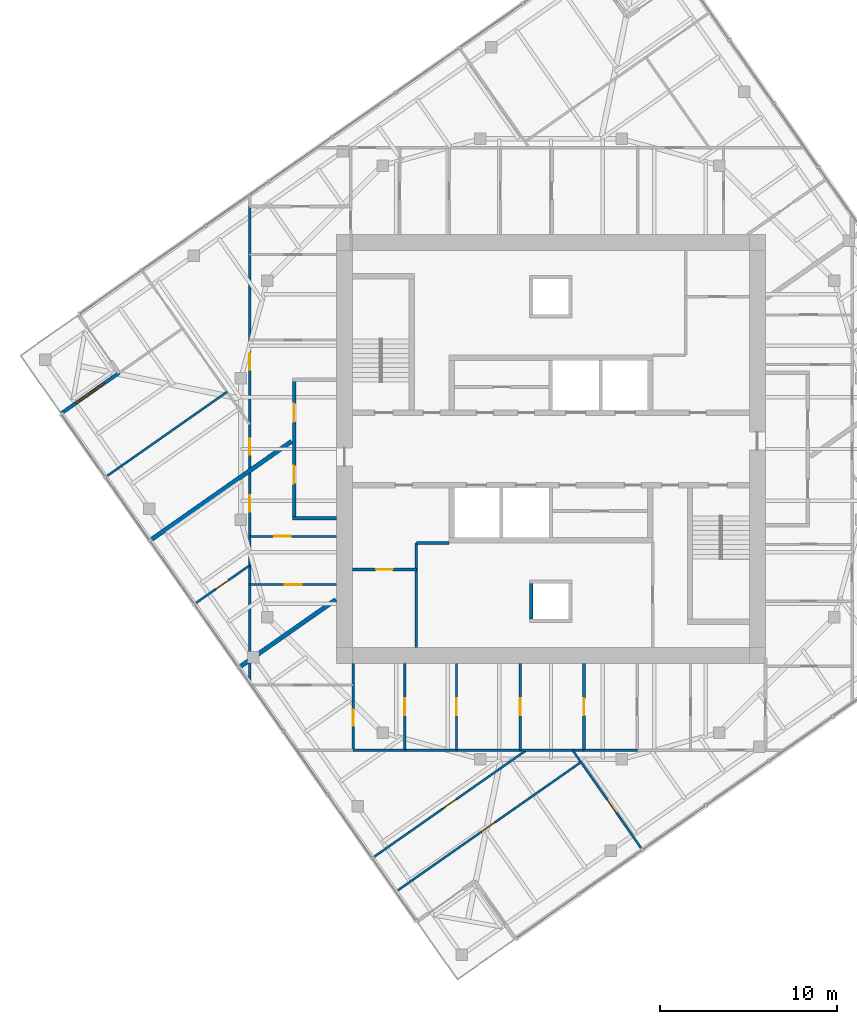
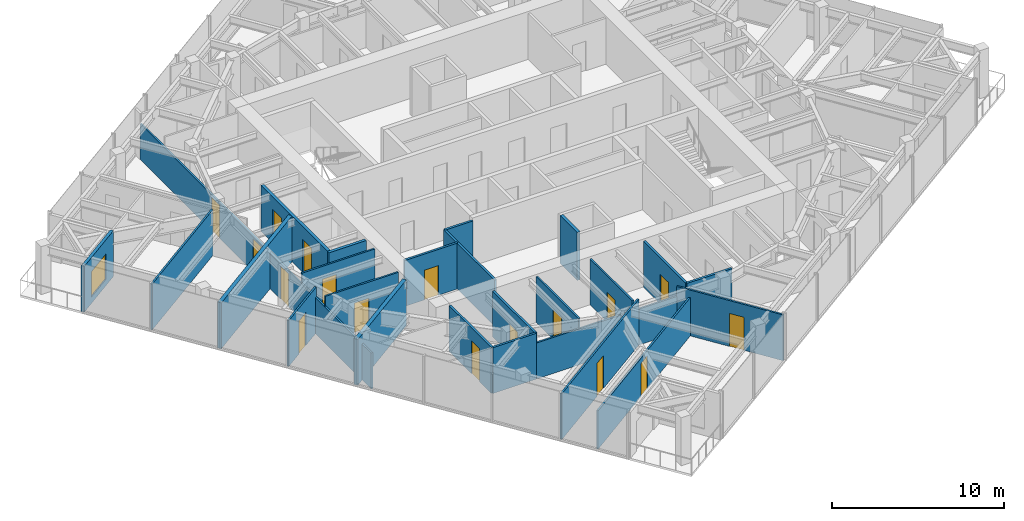
# One storey, part 7 of 12: 25 walls, 17 doors, 1 window, 18 openings.
"""IFC4 building model written with IfcOpenShell, lengths in metres."""

from ifc_helpers import new_model, si_unit, direction, frame, frame_2d, origin, place, context, subcontext, project, spatial, rectangle, extrude, material, layer, layer_set, type_object, element, fill, save


model = new_model("IFC4")

# Units and contexts
model_context = context("Model", 3, precision=1e-05, world=origin(), true_north=direction((0.0, 1.0)))
body_context = subcontext(model_context, "Body", "Model", "MODEL_VIEW")
ifc_project = project(units=[si_unit("LENGTHUNIT", "METRE"), si_unit("AREAUNIT", "SQUARE_METRE"), si_unit("VOLUMEUNIT", "CUBIC_METRE"), si_unit("PLANEANGLEUNIT", "RADIAN"), si_unit("MASSUNIT", "GRAM", prefix="KILO")], contexts=[model_context])

# Site, building, storey
site_placement = place(None, origin())
site = spatial("IfcSite", under=ifc_project, at=site_placement, CompositionType="ELEMENT")
building_placement = place(site_placement, origin())
building = spatial("IfcBuilding", under=site, at=building_placement, Name="Torsade Residences", CompositionType="ELEMENT")
storey_placement = place(building_placement, frame((0.0, 0.0, 247.199951171875)))
storey = spatial("IfcBuildingStorey", under=building, at=storey_placement, Name="L68", CompositionType="ELEMENT", Elevation=247.199951171875)

# Wall, openings, doors
ifc_material_1 = material(Name="Plasterboard on steel stud", Category="steel")
ifc_layer_1 = layer(ifc_material_1, 0.199951171875)
ifc_layer_set_1 = layer_set([ifc_layer_1], Name="Plasterboard on steel stud")
wall_type_1 = type_object("IfcWallType", Name="CORRIDOR WALL 200", PredefinedType="PARTITIONING", material=ifc_layer_set_1)
wall_1_placement = place(storey_placement, frame((25.5, 26.10009765625, 0.0), z_axis=(0.0, 0.0, 1.0), x_axis=(0.0, 1.0, 0.0)))
wall_1 = element("IfcWall", 1, at=wall_1_placement, inside=storey, type_object=wall_type_1, Name="Corridor wall L68", PredefinedType="PARTITIONING", context=body_context, shape_type="SweptSolid", body=[
    extrude(rectangle(XDim=7.7998046875, YDim=0.199951171875, at=frame_2d((3.89990234375, 0.0))), origin(), (0.0, 0.0, 1.0), 3.25),
])
opening_1_placement = place(wall_1_placement, frame((1.94189453125, 0.0, 0.0)))
opening_1 = element("IfcOpeningElement", 2, at=opening_1_placement, cuts=wall_1, Name="Opening D01", PredefinedType="OPENING", context=body_context, shape_type="SweptSolid", body=[
    extrude(rectangle(XDim=1.02001953125, YDim=2.340087890625, at=frame_2d((0.510009765625, 1.169921875))), frame((0.0, 0.10986328125, 0.0), z_axis=(0.0, -1.0, 0.0), x_axis=(1.0, 0.0, 0.0)), (0.0, 0.0, 1.0), 0.219970703125),
])
opening_2_placement = place(wall_1_placement, frame((5.436767578125, 0.0, 0.0)))
opening_2 = element("IfcOpeningElement", 3, at=opening_2_placement, cuts=wall_1, Name="Opening D01", PredefinedType="OPENING", context=body_context, shape_type="SweptSolid", body=[
    extrude(rectangle(XDim=1.02001953125, YDim=2.340087890625, at=frame_2d((0.510009765625, 1.169921875))), frame((0.0, 0.10986328125, 0.0), z_axis=(0.0, -1.0, 0.0), x_axis=(1.0, 0.0, 0.0)), (0.0, 0.0, 1.0), 0.219970703125),
])
ifc_material_2 = material(Name="Solid-core timber fire door", Category="wood")
door_type_1 = type_object("IfcDoorType", Name="APARTMENT ENTRY DOOR 1020x2340", OperationType="NOTDEFINED", PredefinedType="DOOR", material=ifc_material_2)
door_1_placement = place(opening_1_placement, origin())
door_1 = element("IfcDoor", 4, at=door_1_placement, inside=storey, type_object=door_type_1, Name="Door Residential corridor to Kitchen and dining", OperationType="SINGLE_SWING_RIGHT", OverallHeight=2.340087890625, OverallWidth=1.02001953125, PredefinedType="DOOR", context=body_context, shape_type="SweptSolid", body=[
    extrude(rectangle(XDim=1.02001953125, YDim=2.340087890625, at=frame_2d((0.510009765625, 1.169921875))), frame((0.0, 0.02490234375, 0.0), z_axis=(0.0, -1.0, 0.0), x_axis=(1.0, 0.0, 0.0)), (0.0, 0.0, 1.0), 0.050048828125),
])
fill(opening_1, door_1)
door_2_placement = place(opening_2_placement, origin())
door_2 = element("IfcDoor", 5, at=door_2_placement, inside=storey, type_object=door_type_1, Name="Door Residential corridor to Kitchen and dining", OperationType="SINGLE_SWING_LEFT", OverallHeight=2.340087890625, OverallWidth=1.02001953125, PredefinedType="DOOR", context=body_context, shape_type="SweptSolid", body=[
    extrude(rectangle(XDim=1.02001953125, YDim=2.340087890625, at=frame_2d((0.510009765625, 1.169921875))), frame((0.0, 0.02490234375, 0.0), z_axis=(0.0, -1.0, 0.0), x_axis=(1.0, 0.0, 0.0)), (0.0, 0.0, 1.0), 0.050048828125),
])
fill(opening_2, door_2)

# Wall
wall_2_placement = place(storey_placement, frame((27.89990234375, 26.10009765625, 0.0), z_axis=(0.0, 0.0, 1.0), x_axis=(-1.0, 0.0, 0.0)))
element("IfcWall", 6, at=wall_2_placement, inside=storey, type_object=wall_type_1, Name="Corridor wall L68", PredefinedType="PARTITIONING", context=body_context, shape_type="SweptSolid", body=[
    extrude(rectangle(XDim=2.5, YDim=0.199951171875, at=frame_2d((1.25, 0.0))), origin(), (0.0, 0.0, 1.0), 3.25),
])

# Wall, opening, door
ifc_material_3 = material(Name="Plasterboard on steel stud", Category="steel")
ifc_layer_2 = layer(ifc_material_3, 0.1201171875)
ifc_layer_set_2 = layer_set([ifc_layer_2], Name="Plasterboard on steel stud")
wall_type_2 = type_object("IfcWallType", Name="PARTITION 120", PredefinedType="PARTITIONING", material=ifc_layer_set_2)
wall_3_placement = place(storey_placement, frame((27.89990234375, 25.06787109375, 0.0), z_axis=(0.0, 0.0, 1.0), x_axis=(-1.0, 0.0, 0.0)))
wall_3 = element("IfcWall", 7, at=wall_3_placement, inside=storey, type_object=wall_type_2, Name="Partition L68", PredefinedType="PARTITIONING", context=body_context, shape_type="SweptSolid", body=[
    extrude(rectangle(XDim=4.89990234375, YDim=0.1201171875, at=frame_2d((2.449951171875, 0.0))), origin(), (0.0, 0.0, 1.0), 3.25),
])
opening_3_placement = place(wall_3_placement, frame((2.590087890625, 0.0, 0.0)))
opening_3 = element("IfcOpeningElement", 8, at=opening_3_placement, cuts=wall_3, Name="Opening D02", PredefinedType="OPENING", context=body_context, shape_type="SweptSolid", body=[
    extrude(rectangle(XDim=0.919921875, YDim=2.340087890625, at=frame_2d((0.4599609375, 1.169921875))), frame((0.0, 0.070068359375, 0.0), z_axis=(0.0, -1.0, 0.0), x_axis=(1.0, 0.0, 0.0)), (0.0, 0.0, 1.0), 0.14013671875),
])
ifc_material_4 = material(Name="Hollow-core timber door", Category="wood")
door_type_2 = type_object("IfcDoorType", Name="INTERNAL DOOR 920x2340", OperationType="NOTDEFINED", PredefinedType="DOOR", material=ifc_material_4)
door_3_placement = place(opening_3_placement, origin())
door_3 = element("IfcDoor", 9, at=door_3_placement, inside=storey, type_object=door_type_2, Name="Door Kitchen and dining to Dressing room", OperationType="SINGLE_SWING_RIGHT", OverallHeight=2.340087890625, OverallWidth=0.919921875, PredefinedType="DOOR", context=body_context, shape_type="SweptSolid", body=[
    extrude(rectangle(XDim=0.919921875, YDim=2.340087890625, at=frame_2d((0.4599609375, 1.169921875))), frame((0.0, 0.02490234375, 0.0), z_axis=(0.0, -1.0, 0.0), x_axis=(1.0, 0.0, 0.0)), (0.0, 0.0, 1.0), 0.050048828125),
])
fill(opening_3, door_3)

# Wall, openings, doors
wall_4_placement = place(storey_placement, frame((23.0, 16.8642578125, 0.0), z_axis=(0.0, 0.0, 1.0), x_axis=(0.0, 1.0, 0.0)))
wall_4 = element("IfcWall", 10, at=wall_4_placement, inside=storey, type_object=wall_type_2, Name="Partition L68", PredefinedType="PARTITIONING", context=body_context, shape_type="SweptSolid", body=[
    extrude(rectangle(XDim=26.82421875, YDim=0.1201171875, at=frame_2d((13.412109375, 0.0))), origin(), (0.0, 0.0, 1.0), 2.550048828125),
])
opening_4_placement = place(wall_4_placement, frame((9.598876953125, 0.0, 0.0)))
opening_4 = element("IfcOpeningElement", 11, at=opening_4_placement, cuts=wall_4, Name="Opening D02", PredefinedType="OPENING", context=body_context, shape_type="SweptSolid", body=[
    extrude(rectangle(XDim=0.919921875, YDim=2.340087890625, at=frame_2d((0.4599609375, 1.169921875))), frame((0.0, 0.070068359375, 0.0), z_axis=(0.0, -1.0, 0.0), x_axis=(1.0, 0.0, 0.0)), (0.0, 0.0, 1.0), 0.14013671875),
])
opening_5_placement = place(wall_4_placement, frame((17.6025390625, 0.0, 0.0)))
opening_5 = element("IfcOpeningElement", 12, at=opening_5_placement, cuts=wall_4, Name="Opening D02", PredefinedType="OPENING", context=body_context, shape_type="SweptSolid", body=[
    extrude(rectangle(XDim=0.919921875, YDim=2.340087890625, at=frame_2d((0.4599609375, 1.169921875))), frame((0.0, 0.070068359375, 0.0), z_axis=(0.0, -1.0, 0.0), x_axis=(1.0, 0.0, 0.0)), (0.0, 0.0, 1.0), 0.14013671875),
])
opening_6_placement = place(wall_4_placement, frame((12.806396484375, 0.0, 0.0)))
opening_6 = element("IfcOpeningElement", 13, at=opening_6_placement, cuts=wall_4, Name="Opening D02", PredefinedType="OPENING", context=body_context, shape_type="SweptSolid", body=[
    extrude(rectangle(XDim=0.919921875, YDim=2.340087890625, at=frame_2d((0.4599609375, 1.169921875))), frame((0.0, 0.070068359375, 0.0), z_axis=(0.0, -1.0, 0.0), x_axis=(1.0, 0.0, 0.0)), (0.0, 0.0, 1.0), 0.14013671875),
])
door_4_placement = place(opening_4_placement, origin())
door_4 = element("IfcDoor", 14, at=door_4_placement, inside=storey, type_object=door_type_2, Name="Door Kitchen and dining to Living room", OperationType="SINGLE_SWING_LEFT", OverallHeight=2.340087890625, OverallWidth=0.919921875, PredefinedType="DOOR", context=body_context, shape_type="SweptSolid", body=[
    extrude(rectangle(XDim=0.919921875, YDim=2.340087890625, at=frame_2d((0.4599609375, 1.169921875))), frame((0.0, 0.02490234375, 0.0), z_axis=(0.0, -1.0, 0.0), x_axis=(1.0, 0.0, 0.0)), (0.0, 0.0, 1.0), 0.050048828125),
])
fill(opening_4, door_4)
door_5_placement = place(opening_5_placement, origin())
door_5 = element("IfcDoor", 15, at=door_5_placement, inside=storey, type_object=door_type_2, Name="Door Kitchen and dining to Bedroom 1", OperationType="SINGLE_SWING_LEFT", OverallHeight=2.340087890625, OverallWidth=0.919921875, PredefinedType="DOOR", context=body_context, shape_type="SweptSolid", body=[
    extrude(rectangle(XDim=0.919921875, YDim=2.340087890625, at=frame_2d((0.4599609375, 1.169921875))), frame((0.0, 0.02490234375, 0.0), z_axis=(0.0, -1.0, 0.0), x_axis=(1.0, 0.0, 0.0)), (0.0, 0.0, 1.0), 0.050048828125),
])
fill(opening_5, door_5)
door_6_placement = place(opening_6_placement, origin())
door_6 = element("IfcDoor", 16, at=door_6_placement, inside=storey, type_object=door_type_2, Name="Door Kitchen and dining to Bedroom 3", OperationType="SINGLE_SWING_LEFT", OverallHeight=2.340087890625, OverallWidth=0.919921875, PredefinedType="DOOR", context=body_context, shape_type="SweptSolid", body=[
    extrude(rectangle(XDim=0.919921875, YDim=2.340087890625, at=frame_2d((0.4599609375, 1.169921875))), frame((0.0, 0.02490234375, 0.0), z_axis=(0.0, -1.0, 0.0), x_axis=(1.0, 0.0, 0.0)), (0.0, 0.0, 1.0), 0.050048828125),
])
fill(opening_6, door_6)

# Wall, opening, door
wall_5_placement = place(storey_placement, frame((23.0, 22.3466796875, 0.0), z_axis=(0.0, 0.0, 1.0), x_axis=(1.0, 0.0, 0.0)))
wall_5 = element("IfcWall", 17, at=wall_5_placement, inside=storey, type_object=wall_type_2, Name="Partition L68", PredefinedType="PARTITIONING", context=body_context, shape_type="SweptSolid", body=[
    extrude(rectangle(XDim=4.89990234375, YDim=0.1201171875, at=frame_2d((2.449951171875, 0.0))), origin(), (0.0, 0.0, 1.0), 3.25),
])
opening_7_placement = place(wall_5_placement, frame((1.969970703125, 0.0, 0.0)))
opening_7 = element("IfcOpeningElement", 18, at=opening_7_placement, cuts=wall_5, Name="Opening D05", PredefinedType="OPENING", context=body_context, shape_type="SweptSolid", body=[
    extrude(rectangle(XDim=0.9599609375, YDim=2.10009765625, at=frame_2d((0.47998046875, 1.050048828125))), frame((0.0, 0.070068359375, 0.0), z_axis=(0.0, -1.0, 0.0), x_axis=(1.0, 0.0, 0.0)), (0.0, 0.0, 1.0), 0.14013671875),
])
ifc_material_5 = material(Name="Hollow-core timber door in a steel cavity frame", Category="steel")
door_type_3 = type_object("IfcDoorType", Name="BATHROOM CAVITY SLIDING DOOR 960", OperationType="SLIDING_TO_LEFT", PredefinedType="DOOR", material=ifc_material_5)
door_7_placement = place(opening_7_placement, origin())
door_7 = element("IfcDoor", 19, at=door_7_placement, inside=storey, type_object=door_type_3, Name="Door Dressing room to Bathroom", OperationType="SLIDING_TO_LEFT", OverallHeight=2.10009765625, OverallWidth=0.9599609375, PredefinedType="DOOR", context=body_context, shape_type="SweptSolid", body=[
    extrude(rectangle(XDim=0.9599609375, YDim=2.10009765625, at=frame_2d((0.47998046875, 1.050048828125))), frame((0.0, 0.02490234375, 0.0), z_axis=(0.0, -1.0, 0.0), x_axis=(1.0, 0.0, 0.0)), (0.0, 0.0, 1.0), 0.050048828125),
])
fill(opening_7, door_7)

wall_6_placement = place(storey_placement, frame((23.0, 23.4375, 0.0), z_axis=(0.0, 0.0, 1.0), x_axis=(-0.819140645834, -0.573592714688, 0.0)))
wall_6 = element("IfcWall", 20, at=wall_6_placement, inside=storey, type_object=wall_type_2, Name="Partition L68", PredefinedType="PARTITIONING", context=body_context, shape_type="SweptSolid", body=[
    extrude(rectangle(XDim=3.770263671875, YDim=0.1201171875, at=frame_2d((1.88525390625, 0.0))), origin(), (0.0, 0.0, 1.0), 3.25),
])
opening_8_placement = place(wall_6_placement, frame((1.445068359375, 0.0, 0.0)))
opening_8 = element("IfcOpeningElement", 21, at=opening_8_placement, cuts=wall_6, Name="Opening D02", PredefinedType="OPENING", context=body_context, shape_type="SweptSolid", body=[
    extrude(rectangle(XDim=0.919921875, YDim=2.340087890625, at=frame_2d((0.4599609375, 1.169921875))), frame((0.0, 0.070068359375, 0.0), z_axis=(0.0, -1.0, 0.0), x_axis=(1.0, 0.0, 0.0)), (0.0, 0.0, 1.0), 0.14013671875),
])
door_8_placement = place(opening_8_placement, origin())
door_8 = element("IfcDoor", 22, at=door_8_placement, inside=storey, type_object=door_type_2, Name="Door Living room to Bedroom 1", OperationType="SINGLE_SWING_LEFT", OverallHeight=2.340087890625, OverallWidth=0.919921875, PredefinedType="DOOR", context=body_context, shape_type="SweptSolid", body=[
    extrude(rectangle(XDim=0.919921875, YDim=2.340087890625, at=frame_2d((0.4599609375, 1.169921875))), frame((0.0, 0.02490234375, 0.0), z_axis=(0.0, -1.0, 0.0), x_axis=(1.0, 0.0, 0.0)), (0.0, 0.0, 1.0), 0.050048828125),
])
fill(opening_8, door_8)

wall_7_placement = place(storey_placement, frame((34.671875, 17.89990234375, 0.0), z_axis=(0.0, 0.0, 1.0), x_axis=(0.0, -1.0, 0.0)))
wall_7 = element("IfcWall", 23, at=wall_7_placement, inside=storey, type_object=wall_type_2, Name="Partition L68", PredefinedType="PARTITIONING", context=body_context, shape_type="SweptSolid", body=[
    extrude(rectangle(XDim=4.89990234375, YDim=0.1201171875, at=frame_2d((2.449951171875, 0.0))), origin(), (0.0, 0.0, 1.0), 3.25),
])
opening_9_placement = place(wall_7_placement, frame((1.969970703125, 0.0, 0.0)))
opening_9 = element("IfcOpeningElement", 24, at=opening_9_placement, cuts=wall_7, Name="Opening D05", PredefinedType="OPENING", context=body_context, shape_type="SweptSolid", body=[
    extrude(rectangle(XDim=0.9599609375, YDim=2.10009765625, at=frame_2d((0.47998046875, 1.050048828125))), frame((0.0, 0.070068359375, 0.0), z_axis=(0.0, -1.0, 0.0), x_axis=(1.0, 0.0, 0.0)), (0.0, 0.0, 1.0), 0.14013671875),
])
door_9_placement = place(opening_9_placement, origin())
door_9 = element("IfcDoor", 25, at=door_9_placement, inside=storey, type_object=door_type_3, Name="Door Dressing room 2 to WC", OperationType="SLIDING_TO_LEFT", OverallHeight=2.10009765625, OverallWidth=0.9599609375, PredefinedType="DOOR", context=body_context, shape_type="SweptSolid", body=[
    extrude(rectangle(XDim=0.9599609375, YDim=2.10009765625, at=frame_2d((0.47998046875, 1.050048828125))), frame((0.0, 0.02490234375, 0.0), z_axis=(0.0, -1.0, 0.0), x_axis=(1.0, 0.0, 0.0)), (0.0, 0.0, 1.0), 0.050048828125),
])
fill(opening_9, door_9)

# Wall
wall_8_placement = place(storey_placement, frame((41.864501953125, 13.0, 0.0), z_axis=(0.0, 0.0, 1.0), x_axis=(-1.0, 0.0, 0.0)))
element("IfcWall", 26, at=wall_8_placement, inside=storey, type_object=wall_type_2, Name="Partition L68", PredefinedType="PARTITIONING", context=body_context, shape_type="SweptSolid", body=[
    extrude(rectangle(XDim=10.10986328125, YDim=0.1201171875, at=frame_2d((5.054931640625, 0.0))), origin(), (0.0, 0.0, 1.0), 2.550048828125),
])

# Wall, opening, door
wall_9_placement = place(storey_placement, frame((38.268310546875, 13.0, 0.0), z_axis=(0.0, 0.0, 1.0), x_axis=(0.0, 1.0, 0.0)))
wall_9 = element("IfcWall", 27, at=wall_9_placement, inside=storey, type_object=wall_type_2, Name="Partition L68", PredefinedType="PARTITIONING", context=body_context, shape_type="SweptSolid", body=[
    extrude(rectangle(XDim=4.89990234375, YDim=0.1201171875, at=frame_2d((2.449951171875, 0.0))), origin(), (0.0, 0.0, 1.0), 3.25),
])
opening_10_placement = place(wall_9_placement, frame((1.969970703125, 0.0, 0.0)))
opening_10 = element("IfcOpeningElement", 28, at=opening_10_placement, cuts=wall_9, Name="Opening D05", PredefinedType="OPENING", context=body_context, shape_type="SweptSolid", body=[
    extrude(rectangle(XDim=0.9599609375, YDim=2.10009765625, at=frame_2d((0.47998046875, 1.050048828125))), frame((0.0, 0.070068359375, 0.0), z_axis=(0.0, -1.0, 0.0), x_axis=(1.0, 0.0, 0.0)), (0.0, 0.0, 1.0), 0.14013671875),
])
door_10_placement = place(opening_10_placement, origin())
door_10 = element("IfcDoor", 29, at=door_10_placement, inside=storey, type_object=door_type_3, Name="Door Ensuite to Dressing room 2", OperationType="SLIDING_TO_LEFT", OverallHeight=2.10009765625, OverallWidth=0.9599609375, PredefinedType="DOOR", context=body_context, shape_type="SweptSolid", body=[
    extrude(rectangle(XDim=0.9599609375, YDim=2.10009765625, at=frame_2d((0.47998046875, 1.050048828125))), frame((0.0, 0.02490234375, 0.0), z_axis=(0.0, -1.0, 0.0), x_axis=(1.0, 0.0, 0.0)), (0.0, 0.0, 1.0), 0.050048828125),
])
fill(opening_10, door_10)

wall_10_placement = place(storey_placement, frame((31.279296875, 5.0400390625, 0.0), z_axis=(0.0, 0.0, 1.0), x_axis=(0.819155207289, 0.573571919092, 0.0)))
wall_10 = element("IfcWall", 30, at=wall_10_placement, inside=storey, type_object=wall_type_2, Name="Partition L68", PredefinedType="PARTITIONING", context=body_context, shape_type="SweptSolid", body=[
    extrude(rectangle(XDim=12.7099609375, YDim=0.1201171875, at=frame_2d((6.35498046875, 0.0))), origin(), (0.0, 0.0, 1.0), 2.717041015625),
])
opening_11_placement = place(wall_10_placement, frame((5.875, 0.0, 0.0)))
opening_11 = element("IfcOpeningElement", 31, at=opening_11_placement, cuts=wall_10, Name="Opening D02", PredefinedType="OPENING", context=body_context, shape_type="SweptSolid", body=[
    extrude(rectangle(XDim=0.919921875, YDim=2.340087890625, at=frame_2d((0.4599609375, 1.169921875))), frame((0.0, 0.070068359375, 0.0), z_axis=(0.0, -1.0, 0.0), x_axis=(1.0, 0.0, 0.0)), (0.0, 0.0, 1.0), 0.14013671875),
])
door_11_placement = place(opening_11_placement, origin())
door_11 = element("IfcDoor", 32, at=door_11_placement, inside=storey, type_object=door_type_2, Name="Door Living room to Family room", OperationType="SINGLE_SWING_RIGHT", OverallHeight=2.340087890625, OverallWidth=0.919921875, PredefinedType="DOOR", context=body_context, shape_type="SweptSolid", body=[
    extrude(rectangle(XDim=0.919921875, YDim=2.340087890625, at=frame_2d((0.4599609375, 1.169921875))), frame((0.0, 0.02490234375, 0.0), z_axis=(0.0, -1.0, 0.0), x_axis=(1.0, 0.0, 0.0)), (0.0, 0.0, 1.0), 0.050048828125),
])
fill(opening_11, door_11)

wall_11_placement = place(storey_placement, frame((41.2216796875, 13.0, 0.0), z_axis=(0.0, 0.0, 1.0), x_axis=(0.57357503053, -0.819153028653, 0.0)))
wall_11 = element("IfcWall", 33, at=wall_11_placement, inside=storey, type_object=wall_type_2, Name="Partition L68", PredefinedType="PARTITIONING", context=body_context, shape_type="SweptSolid", body=[
    extrude(rectangle(XDim=6.833740234375, YDim=0.1201171875, at=frame_2d((3.4169921875, 0.0))), origin(), (0.0, 0.0, 1.0), 3.25),
])
opening_12_placement = place(wall_11_placement, frame((3.3857421875, 0.0, 0.0)))
opening_12 = element("IfcOpeningElement", 34, at=opening_12_placement, cuts=wall_11, Name="Opening D02", PredefinedType="OPENING", context=body_context, shape_type="SweptSolid", body=[
    extrude(rectangle(XDim=0.919921875, YDim=2.340087890625, at=frame_2d((0.4599609375, 1.169921875))), frame((0.0, 0.070068359375, 0.0), z_axis=(0.0, -1.0, 0.0), x_axis=(1.0, 0.0, 0.0)), (0.0, 0.0, 1.0), 0.14013671875),
])
door_12_placement = place(opening_12_placement, origin())
door_12 = element("IfcDoor", 35, at=door_12_placement, inside=storey, type_object=door_type_2, Name="Door Study 2 to Living room", OperationType="SINGLE_SWING_LEFT", OverallHeight=2.340087890625, OverallWidth=0.919921875, PredefinedType="DOOR", context=body_context, shape_type="SweptSolid", body=[
    extrude(rectangle(XDim=0.919921875, YDim=2.340087890625, at=frame_2d((0.4599609375, 1.169921875))), frame((0.0, 0.02490234375, 0.0), z_axis=(0.0, -1.0, 0.0), x_axis=(1.0, 0.0, 0.0)), (0.0, 0.0, 1.0), 0.050048828125),
])
fill(opening_12, door_12)

wall_12_placement = place(storey_placement, frame((38.604248046875, 13.0, 0.0), z_axis=(0.0, 0.0, 1.0), x_axis=(-0.819123352089, -0.573617410878, 0.0)))
wall_12 = element("IfcWall", 36, at=wall_12_placement, inside=storey, type_object=wall_type_2, Name="Partition L68", PredefinedType="PARTITIONING", context=body_context, shape_type="SweptSolid", body=[
    extrude(rectangle(XDim=10.56591796875, YDim=0.1201171875, at=frame_2d((5.282958984375, 0.0))), origin(), (0.0, 0.0, 1.0), 3.25),
])
opening_13_placement = place(wall_12_placement, frame((4.830810546875, 0.0, 0.0)))
opening_13 = element("IfcOpeningElement", 37, at=opening_13_placement, cuts=wall_12, Name="Opening D02", PredefinedType="OPENING", context=body_context, shape_type="SweptSolid", body=[
    extrude(rectangle(XDim=0.919921875, YDim=2.340087890625, at=frame_2d((0.4599609375, 1.169921875))), frame((0.0, 0.070068359375, 0.0), z_axis=(0.0, -1.0, 0.0), x_axis=(1.0, 0.0, 0.0)), (0.0, 0.0, 1.0), 0.14013671875),
])
door_13_placement = place(opening_13_placement, origin())
door_13 = element("IfcDoor", 38, at=door_13_placement, inside=storey, type_object=door_type_2, Name="Door Family room to Bedroom 2", OperationType="SINGLE_SWING_RIGHT", OverallHeight=2.340087890625, OverallWidth=0.919921875, PredefinedType="DOOR", context=body_context, shape_type="SweptSolid", body=[
    extrude(rectangle(XDim=0.919921875, YDim=2.340087890625, at=frame_2d((0.4599609375, 1.169921875))), frame((0.0, 0.02490234375, 0.0), z_axis=(0.0, -1.0, 0.0), x_axis=(1.0, 0.0, 0.0)), (0.0, 0.0, 1.0), 0.050048828125),
])
fill(opening_13, door_13)

# Walls
wall_13_placement = place(storey_placement, frame((21.720458984375, 33.22314453125, 0.0), z_axis=(0.0, 0.0, 1.0), x_axis=(-0.819152099525, -0.573576357466, 0.0)))
element("IfcWall", 39, at=wall_13_placement, inside=storey, type_object=wall_type_2, Name="Partition L68", PredefinedType="PARTITIONING", context=body_context, shape_type="SweptSolid", body=[
    extrude(rectangle(XDim=8.3349609375, YDim=0.1201171875, at=frame_2d((4.16748046875, 0.0))), origin(), (0.0, 0.0, 1.0), 3.25),
])
ifc_material_6 = material(Name="Masonry-lined stud party wall", Category="masonry")
ifc_layer_3 = layer(ifc_material_6, 0.25)
ifc_layer_set_3 = layer_set([ifc_layer_3], Name="Masonry-lined stud party wall")
wall_type_3 = type_object("IfcWallType", Name="PARTY WALL 250", PredefinedType="PARTITIONING", material=ifc_layer_set_3)
wall_14_placement = place(storey_placement, frame((22.38818359375, 17.668212890625, 0.0), z_axis=(0.0, 0.0, 1.0), x_axis=(0.819161528122, 0.573562891796, 0.0)))
element("IfcWall", 40, at=wall_14_placement, inside=storey, type_object=wall_type_3, Name="Party wall L68", PredefinedType="PARTITIONING", context=body_context, shape_type="SweptSolid", body=[
    extrude(rectangle(XDim=6.68115234375, YDim=0.25, at=frame_2d((3.340576171875, 0.0))), origin(), (0.0, 0.0, 1.0), 3.25),
])
wall_15_placement = place(storey_placement, frame((17.369384765625, 24.835693359375, 0.0), z_axis=(0.0, 0.0, 1.0), x_axis=(0.81915902312, 0.573566469418, 0.0)))
element("IfcWall", 41, at=wall_15_placement, inside=storey, type_object=wall_type_3, Name="Party wall L68", PredefinedType="PARTITIONING", context=body_context, shape_type="SweptSolid", body=[
    extrude(rectangle(XDim=9.755859375, YDim=0.25, at=frame_2d((4.8779296875, 0.0))), origin(), (0.0, 0.0, 1.0), 3.25),
])
ifc_material_7 = material(Name="Reinforced blockwork", Category="masonry")
ifc_layer_4 = layer(ifc_material_7, 0.199951171875)
ifc_layer_set_4 = layer_set([ifc_layer_4], Name="Reinforced blockwork")
wall_type_4 = type_object("IfcWallType", Name="RISER SHAFT WALL 200", PredefinedType="SOLIDWALL", material=ifc_layer_set_4)
wall_16_placement = place(storey_placement, frame((38.89990234375, 22.39990234375, 0.0), z_axis=(0.0, 0.0, 1.0), x_axis=(0.0, -1.0, 0.0)))
element("IfcWall", 42, at=wall_16_placement, inside=storey, type_object=wall_type_4, Name="Core wall RS2a L68", PredefinedType="SOLIDWALL", context=body_context, shape_type="SweptSolid", body=[
    extrude(rectangle(XDim=2.0, YDim=0.199951171875, at=frame_2d((1.0, 0.0))), origin(), (0.0, 0.0, 1.0), 3.400146484375),
])
ifc_material_8 = material(Name="Reinforced blockwork", Category="masonry")
ifc_layer_5 = layer(ifc_material_8, 0.14990234375)
ifc_layer_set_5 = layer_set([ifc_layer_5], Name="Reinforced blockwork")
wall_type_5 = type_object("IfcWallType", Name="SERVICE ROOM WALL 150", PredefinedType="SOLIDWALL", material=ifc_layer_set_5)
wall_17_placement = place(storey_placement, frame((32.39990234375, 18.800048828125, 0.0), z_axis=(0.0, 0.0, 1.0), x_axis=(0.0, 1.0, 0.0)))
element("IfcWall", 43, at=wall_17_placement, inside=storey, type_object=wall_type_5, Name="Service room wall L68", PredefinedType="SOLIDWALL", context=body_context, shape_type="SweptSolid", body=[
    extrude(rectangle(XDim=5.89990234375, YDim=0.14990234375, at=frame_2d((2.949951171875, 0.0))), origin(), (0.0, 0.0, 1.0), 3.25),
])
wall_18_placement = place(storey_placement, frame((32.39990234375, 24.699951171875, 0.0), z_axis=(0.0, 0.0, 1.0), x_axis=(1.0, 0.0, 0.0)))
element("IfcWall", 44, at=wall_18_placement, inside=storey, type_object=wall_type_5, Name="Service room wall L68", PredefinedType="SOLIDWALL", context=body_context, shape_type="SweptSolid", body=[
    extrude(rectangle(XDim=1.85009765625, YDim=0.14990234375, at=frame_2d((0.925048828125, 0.0))), origin(), (0.0, 0.0, 1.0), 3.25),
])

# Wall, opening, door
wall_19_placement = place(storey_placement, frame((32.39990234375, 23.199951171875, 0.0), z_axis=(0.0, 0.0, 1.0), x_axis=(-1.0, 0.0, 0.0)))
wall_19 = element("IfcWall", 45, at=wall_19_placement, inside=storey, type_object=wall_type_5, Name="Service room wall L68", PredefinedType="SOLIDWALL", context=body_context, shape_type="SweptSolid", body=[
    extrude(rectangle(XDim=3.599853515625, YDim=0.14990234375, at=frame_2d((1.7998046875, 0.0))), origin(), (0.0, 0.0, 1.0), 3.25),
])
opening_14_placement = place(wall_19_placement, frame((1.340087890625, 0.0, 0.0)))
opening_14 = element("IfcOpeningElement", 46, at=opening_14_placement, cuts=wall_19, Name="Opening D06", PredefinedType="OPENING", context=body_context, shape_type="SweptSolid", body=[
    extrude(rectangle(XDim=0.919921875, YDim=2.10009765625, at=frame_2d((0.4599609375, 1.050048828125))), frame((0.0, 0.0849609375, 0.0), z_axis=(0.0, -1.0, 0.0), x_axis=(1.0, 0.0, 0.0)), (0.0, 0.0, 1.0), 0.169921875),
])
ifc_material_9 = material(Name="Steel-framed fire door", Category="steel")
door_type_4 = type_object("IfcDoorType", Name="FIRE DOOR 920", OperationType="NOTDEFINED", PredefinedType="DOOR", material=ifc_material_9)
door_14_placement = place(opening_14_placement, origin())
door_14 = element("IfcDoor", 47, at=door_14_placement, inside=storey, type_object=door_type_4, Name="Door Cleaner store to Sprinkler valve room", OperationType="SINGLE_SWING_LEFT", OverallHeight=2.10009765625, OverallWidth=0.919921875, PredefinedType="DOOR", context=body_context, shape_type="SweptSolid", body=[
    extrude(rectangle(XDim=0.919921875, YDim=2.10009765625, at=frame_2d((0.4599609375, 1.050048828125))), frame((0.0, 0.02490234375, 0.0), z_axis=(0.0, -1.0, 0.0), x_axis=(1.0, 0.0, 0.0)), (0.0, 0.0, 1.0), 0.050048828125),
])
fill(opening_14, door_14)

wall_20_placement = place(storey_placement, frame((28.83740234375, 17.89990234375, 0.0), z_axis=(0.0, 0.0, 1.0), x_axis=(0.0, -1.0, 0.0)))
wall_20 = element("IfcWall", 48, at=wall_20_placement, inside=storey, type_object=wall_type_5, Name="Service room wall L68", PredefinedType="SOLIDWALL", context=body_context, shape_type="SweptSolid", body=[
    extrude(rectangle(XDim=4.89990234375, YDim=0.14990234375, at=frame_2d((2.449951171875, 0.0))), origin(), (0.0, 0.0, 1.0), 3.25),
])
opening_15_placement = place(wall_20_placement, frame((2.603271484375, 0.0, 0.0)))
opening_15 = element("IfcOpeningElement", 49, at=opening_15_placement, cuts=wall_20, Name="Opening D02", PredefinedType="OPENING", context=body_context, shape_type="SweptSolid", body=[
    extrude(rectangle(XDim=0.919921875, YDim=2.340087890625, at=frame_2d((0.4599609375, 1.169921875))), frame((0.0, 0.0849609375, 0.0), z_axis=(0.0, -1.0, 0.0), x_axis=(1.0, 0.0, 0.0)), (0.0, 0.0, 1.0), 0.169921875),
])
door_15_placement = place(opening_15_placement, origin())
door_15 = element("IfcDoor", 50, at=door_15_placement, inside=storey, type_object=door_type_2, Name="Door Linen store to Dressing room", OperationType="SINGLE_SWING_RIGHT", OverallHeight=2.340087890625, OverallWidth=0.919921875, PredefinedType="DOOR", context=body_context, shape_type="SweptSolid", body=[
    extrude(rectangle(XDim=0.919921875, YDim=2.340087890625, at=frame_2d((0.4599609375, 1.169921875))), frame((0.0, 0.02490234375, 0.0), z_axis=(0.0, -1.0, 0.0), x_axis=(1.0, 0.0, 0.0)), (0.0, 0.0, 1.0), 0.050048828125),
])
fill(opening_15, door_15)

wall_21_placement = place(storey_placement, frame((31.754638671875, 13.0, 0.0), z_axis=(0.0, 0.0, 1.0), x_axis=(0.0, 1.0, 0.0)))
wall_21 = element("IfcWall", 51, at=wall_21_placement, inside=storey, type_object=wall_type_5, Name="Service room wall L68", PredefinedType="SOLIDWALL", context=body_context, shape_type="SweptSolid", body=[
    extrude(rectangle(XDim=4.89990234375, YDim=0.14990234375, at=frame_2d((2.449951171875, 0.0))), origin(), (0.0, 0.0, 1.0), 3.25),
])
opening_16_placement = place(wall_21_placement, frame((1.969970703125, 0.0, 0.0)))
opening_16 = element("IfcOpeningElement", 52, at=opening_16_placement, cuts=wall_21, Name="Opening D05", PredefinedType="OPENING", context=body_context, shape_type="SweptSolid", body=[
    extrude(rectangle(XDim=0.9599609375, YDim=2.10009765625, at=frame_2d((0.47998046875, 1.050048828125))), frame((0.0, 0.0849609375, 0.0), z_axis=(0.0, -1.0, 0.0), x_axis=(1.0, 0.0, 0.0)), (0.0, 0.0, 1.0), 0.169921875),
])
door_16_placement = place(opening_16_placement, origin())
door_16 = element("IfcDoor", 53, at=door_16_placement, inside=storey, type_object=door_type_3, Name="Door WC to Linen store", OperationType="SLIDING_TO_LEFT", OverallHeight=2.10009765625, OverallWidth=0.9599609375, PredefinedType="DOOR", context=body_context, shape_type="SweptSolid", body=[
    extrude(rectangle(XDim=0.9599609375, YDim=2.10009765625, at=frame_2d((0.47998046875, 1.050048828125))), frame((0.0, 0.02490234375, 0.0), z_axis=(0.0, -1.0, 0.0), x_axis=(1.0, 0.0, 0.0)), (0.0, 0.0, 1.0), 0.050048828125),
])
fill(opening_16, door_16)

# Wall
wall_22_placement = place(storey_placement, frame((31.754638671875, 13.0, 0.0), z_axis=(0.0, 0.0, 1.0), x_axis=(-1.0, 0.0, 0.0)))
element("IfcWall", 54, at=wall_22_placement, inside=storey, type_object=wall_type_5, Name="Service room wall L68", PredefinedType="SOLIDWALL", context=body_context, shape_type="SweptSolid", body=[
    extrude(rectangle(XDim=2.917236328125, YDim=0.14990234375, at=frame_2d((1.45849609375, 0.0))), origin(), (0.0, 0.0, 1.0), 3.25),
])

# Wall, opening, door
wall_23_placement = place(storey_placement, frame((41.864501953125, 17.89990234375, 0.0), z_axis=(0.0, 0.0, 1.0), x_axis=(0.0, -1.0, 0.0)))
wall_23 = element("IfcWall", 55, at=wall_23_placement, inside=storey, type_object=wall_type_5, Name="Service room wall L68", PredefinedType="SOLIDWALL", context=body_context, shape_type="SweptSolid", body=[
    extrude(rectangle(XDim=4.89990234375, YDim=0.14990234375, at=frame_2d((2.449951171875, 0.0))), origin(), (0.0, 0.0, 1.0), 3.25),
])
opening_17_placement = place(wall_23_placement, frame((1.969970703125, 0.0, 0.0)))
opening_17 = element("IfcOpeningElement", 56, at=opening_17_placement, cuts=wall_23, Name="Opening D05", PredefinedType="OPENING", context=body_context, shape_type="SweptSolid", body=[
    extrude(rectangle(XDim=0.9599609375, YDim=2.10009765625, at=frame_2d((0.47998046875, 1.050048828125))), frame((0.0, 0.0849609375, 0.0), z_axis=(0.0, -1.0, 0.0), x_axis=(1.0, 0.0, 0.0)), (0.0, 0.0, 1.0), 0.169921875),
])
door_17_placement = place(opening_17_placement, origin())
door_17 = element("IfcDoor", 57, at=door_17_placement, inside=storey, type_object=door_type_3, Name="Door Linen store 2 to Ensuite", OperationType="SLIDING_TO_LEFT", OverallHeight=2.10009765625, OverallWidth=0.9599609375, PredefinedType="DOOR", context=body_context, shape_type="SweptSolid", body=[
    extrude(rectangle(XDim=0.9599609375, YDim=2.10009765625, at=frame_2d((0.47998046875, 1.050048828125))), frame((0.0, 0.02490234375, 0.0), z_axis=(0.0, -1.0, 0.0), x_axis=(1.0, 0.0, 0.0)), (0.0, 0.0, 1.0), 0.050048828125),
])
fill(opening_17, door_17)

# Wall
wall_24_placement = place(storey_placement, frame((44.871337890625, 13.0, 0.0), z_axis=(0.0, 0.0, 1.0), x_axis=(-1.0, 0.0, 0.0)))
element("IfcWall", 58, at=wall_24_placement, inside=storey, type_object=wall_type_5, Name="Service room wall L68", PredefinedType="SOLIDWALL", context=body_context, shape_type="SweptSolid", body=[
    extrude(rectangle(XDim=3.0068359375, YDim=0.14990234375, at=frame_2d((1.50341796875, 0.0))), origin(), (0.0, 0.0, 1.0), 3.25),
])

# Wall, opening, window
ifc_material_10 = material(Name="Stone-faced precast concrete 40 MPa panel", Category="masonry")
ifc_layer_6 = layer(ifc_material_10, 0.199951171875)
ifc_layer_set_6 = layer_set([ifc_layer_6], Name="Stone-faced precast concrete 40 MPa panel")
wall_type_6 = type_object("IfcWallType", Name="TERRACE WALL 200", PredefinedType="SOLIDWALL", material=ifc_layer_set_6)
wall_25_placement = place(storey_placement, frame((15.627197265625, 34.297607421875, 0.0), z_axis=(0.0, 0.0, 1.0), x_axis=(-0.819137286189, -0.573597512525, 0.0)))
wall_25 = element("IfcWall", 59, at=wall_25_placement, inside=storey, type_object=wall_type_6, Name="Terrace wall L68 9", PredefinedType="SOLIDWALL", context=body_context, shape_type="SweptSolid", body=[
    extrude(rectangle(XDim=4.0, YDim=0.199951171875, at=frame_2d((2.0, 0.0))), origin(), (0.0, 0.0, 1.0), 3.25),
])
opening_18_placement = place(wall_25_placement, frame((1.0, 0.0, 0.449951171875)))
opening_18 = element("IfcOpeningElement", 60, at=opening_18_placement, cuts=wall_25, Name="Opening W1B", PredefinedType="OPENING", context=body_context, shape_type="SweptSolid", body=[
    extrude(rectangle(XDim=2.0, YDim=1.800048828125, at=frame_2d((1.0, 0.89990234375))), frame((0.0, 0.10986328125, 0.0), z_axis=(0.0, -1.0, 0.0), x_axis=(1.0, 0.0, 0.0)), (0.0, 0.0, 1.0), 0.219970703125),
])
ifc_material_11 = material(Name="Aluminium-framed glass window", Category="aluminium")
window_type = type_object("IfcWindowType", Name="TERRACE WINDOW 2000x1800", PartitioningType="SINGLE_PANEL", PredefinedType="WINDOW", material=ifc_material_11)
window_placement = place(opening_18_placement, origin())
window = element("IfcWindow", 61, at=window_placement, inside=storey, type_object=window_type, Name="Terrace window L68 9", OverallHeight=1.800048828125, OverallWidth=2.0, PartitioningType="SINGLE_PANEL", PredefinedType="WINDOW", context=body_context, shape_type="SweptSolid", body=[
    extrude(rectangle(XDim=2.0, YDim=1.800048828125, at=frame_2d((1.0, 0.89990234375))), frame((0.0, 0.030029296875, 0.0), z_axis=(0.0, -1.0, 0.0), x_axis=(1.0, 0.0, 0.0)), (0.0, 0.0, 1.0), 0.06005859375),
])
fill(opening_18, window)

save(model, "model.ifc")
